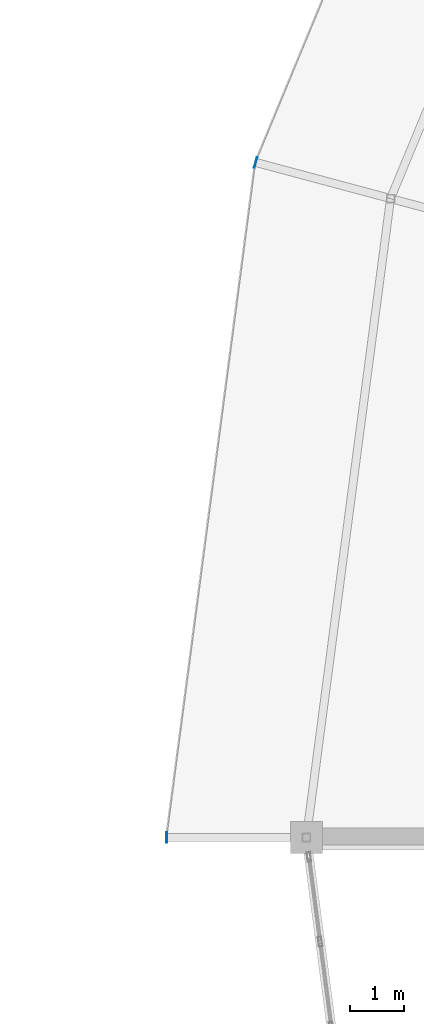
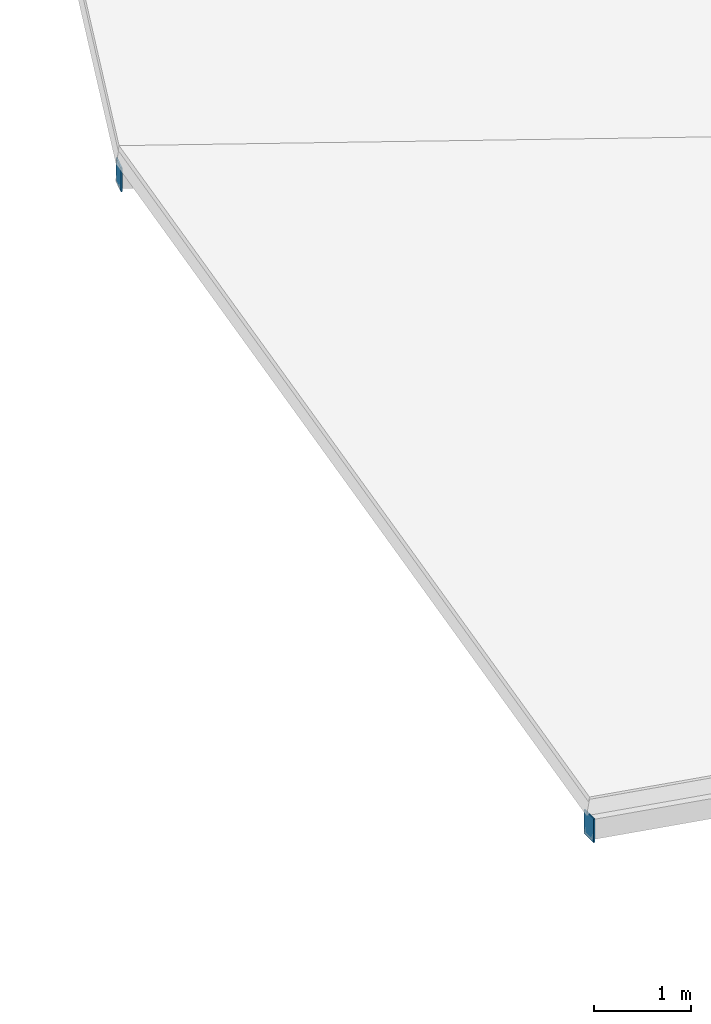
# One storey, part 73 of 93: 2 plates.
"""IFC4 building model written with IfcOpenShell, lengths in metres."""

from ifc_helpers import new_model, si_unit, direction, frame, origin, origin_2d, place, context, subcontext, project, spatial, rectangle, extrude, material, layer, layer_set, type_object, element, save


model = new_model("IFC4")

# Units and contexts
model_context = context("Model", 3, precision=1e-05, world=origin(), true_north=direction((0.0, 1.0)))
body_context = subcontext(model_context, "Body", "Model", "MODEL_VIEW")
ifc_project = project(units=[si_unit("LENGTHUNIT", "METRE"), si_unit("AREAUNIT", "SQUARE_METRE"), si_unit("VOLUMEUNIT", "CUBIC_METRE"), si_unit("PLANEANGLEUNIT", "RADIAN"), si_unit("MASSUNIT", "GRAM", prefix="KILO")], contexts=[model_context])

# Site, building, storey
site_placement = place(None, origin())
site = spatial("IfcSite", under=ifc_project, at=site_placement, CompositionType="ELEMENT")
building_placement = place(site_placement, origin())
building = spatial("IfcBuilding", under=site, at=building_placement, Name="Vondelvale Polytechnic", CompositionType="ELEMENT")
storey_placement = place(building_placement, frame((0.0, 0.0, 18.0)))
storey = spatial("IfcBuildingStorey", under=building, at=storey_placement, Name="L04", CompositionType="ELEMENT", Elevation=18.0)

# Plates
ifc_material = material(Name="Steel Grade 350 (fy = 340 MPa)", Category="steel")
ifc_layer = layer(ifc_material, 0.01611328125)
ifc_layer_set = layer_set([ifc_layer], Name="PLATE-CAP-300x200")
plate_type = type_object("IfcPlateType", Name="PLATE-CAP-300x200", PredefinedType="USERDEFINED", material=ifc_layer_set)
for number, where, z_axis, x_axis, name in (
    (1, (55.055908203125, 84.57861328125, 3.61572265625), (0.0, 0.0, 1.0), (0.965925826289, -0.258819045103, 0.0), "Ring rafter hollow end cap plate 11O"),
    (2, (53.39990234375, 72.0, 3.61572265625), (0.0, 0.0, 1.0), (1.0, 0.0, 0.0), "Ring step rafter end cap plate 11O"),
):
    element("IfcPlate", number, at=place(storey_placement, frame(where, z_axis=z_axis, x_axis=x_axis)), inside=storey, type_object=plate_type, Name=name, ObjectType="CAP_PLATE", PredefinedType="USERDEFINED", context=body_context, shape_type="SweptSolid", body=[
        extrude(rectangle(XDim=0.01611328125, YDim=0.199951171875, at=origin_2d()), origin(), (0.0, 0.0, 1.0), 0.300048828125),
    ])

save(model, "model.ifc")
